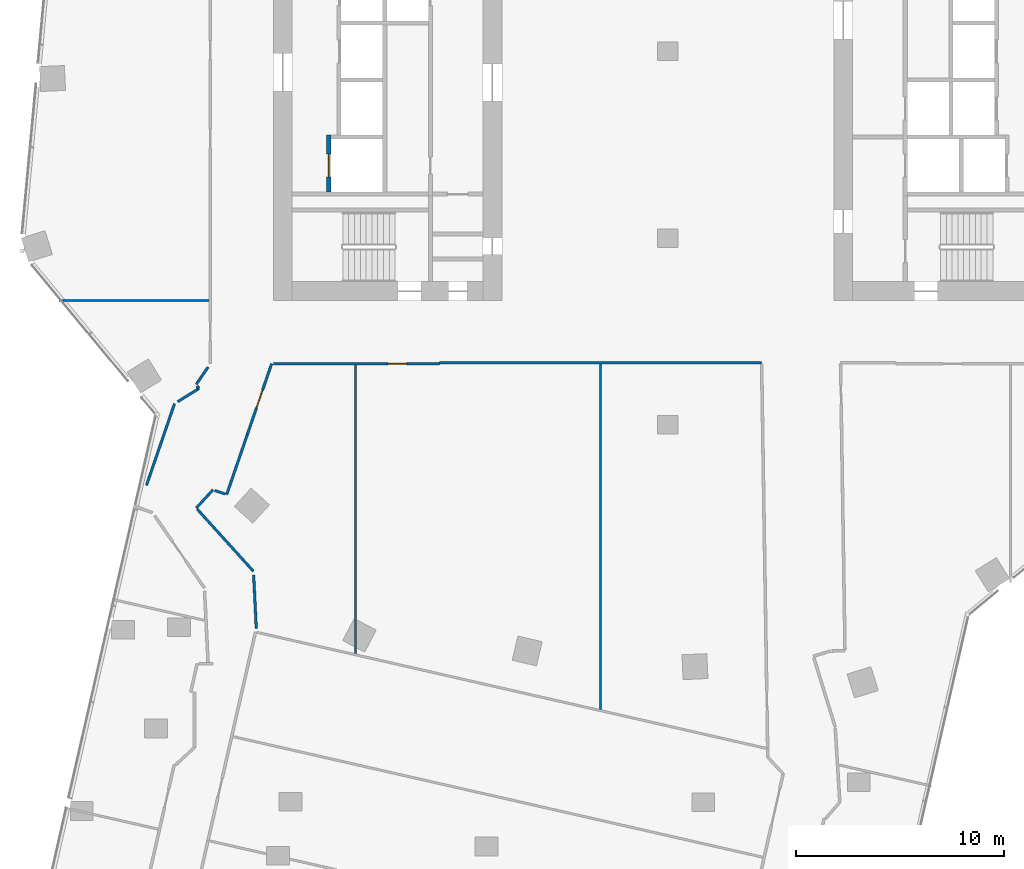
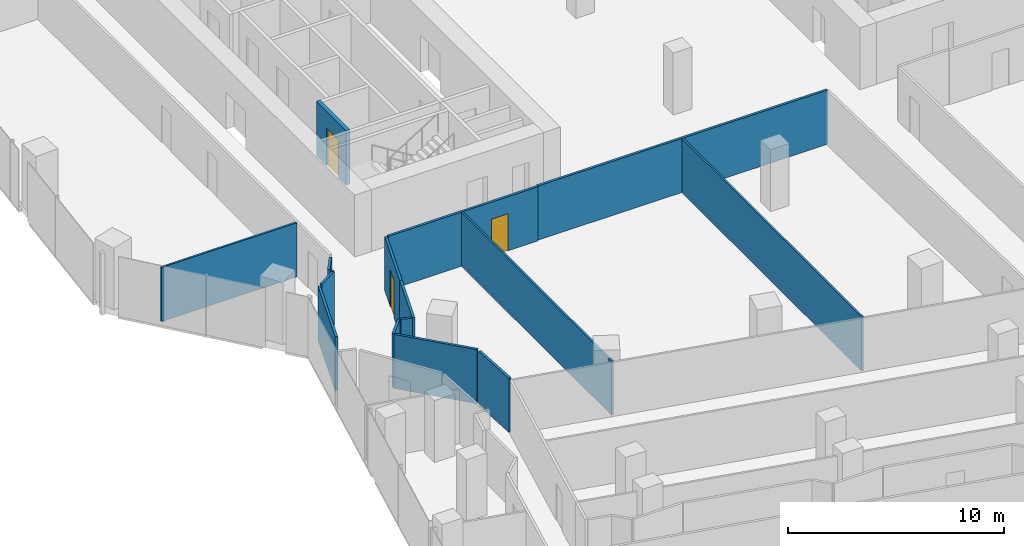
# One storey, part 19 of 24: 16 walls, 3 doors, 3 openings.
"""IFC4 building model written with IfcOpenShell, lengths in metres."""

from ifc_helpers import new_model, si_unit, direction, frame, frame_2d, origin, place, context, subcontext, project, spatial, rectangle, extrude, material, layer, layer_set, type_object, element, fill, save


model = new_model("IFC4")

# Units and contexts
model_context = context("Model", 3, precision=1e-05, world=origin(), true_north=direction((0.0, 1.0)))
body_context = subcontext(model_context, "Body", "Model", "MODEL_VIEW")
ifc_project = project(units=[si_unit("LENGTHUNIT", "METRE"), si_unit("AREAUNIT", "SQUARE_METRE"), si_unit("VOLUMEUNIT", "CUBIC_METRE"), si_unit("PLANEANGLEUNIT", "RADIAN"), si_unit("MASSUNIT", "GRAM", prefix="KILO")], contexts=[model_context])

# Site, building, storey
site_placement = place(None, origin())
site = spatial("IfcSite", under=ifc_project, at=site_placement, CompositionType="ELEMENT")
building_placement = place(site_placement, origin())
building = spatial("IfcBuilding", under=site, at=building_placement, Name="Orlundy Tower", CompositionType="ELEMENT")
storey_placement = place(building_placement, frame((0.0, 0.0, 170.60009765625)))
storey = spatial("IfcBuildingStorey", under=building, at=storey_placement, Name="L44", CompositionType="ELEMENT", Elevation=170.60009765625)

# Walls
ifc_material_1 = material(Name="Gypsum board partition")
ifc_layer_1 = layer(ifc_material_1, 0.10009765625)
ifc_layer_set_1 = layer_set([ifc_layer_1], Name="Floor partition 100")
wall_type_1 = type_object("IfcWallType", Name="Floor partition 100", PredefinedType="PARTITIONING", material=ifc_layer_set_1)
wall_1_placement = place(storey_placement, frame((-3.23388671875, -15.06201171875, 0.0), z_axis=(0.0, 0.0, 1.0), x_axis=(5.8673394e-05, -0.999999998279, 0.0)))
element("IfcWall", 1, at=wall_1_placement, inside=storey, type_object=wall_type_1, Name="wall-int-L44-001", PredefinedType="PARTITIONING", context=body_context, shape_type="SweptSolid", body=[
    extrude(rectangle(XDim=16.64404296875, YDim=0.10009765625, at=frame_2d((8.322021484375, 0.0))), origin(), (0.0, 0.0, 1.0), 3.059814453125),
])
wall_2_placement = place(storey_placement, frame((-29.346923828125, -12.0, 0.0), z_axis=(0.0, 0.0, 1.0), x_axis=(1.0, 0.0, 0.0)))
element("IfcWall", 2, at=wall_2_placement, inside=storey, type_object=wall_type_1, Name="wall-int-L44-041", PredefinedType="PARTITIONING", context=body_context, shape_type="SweptSolid", body=[
    extrude(rectangle(XDim=7.23388671875, YDim=0.10009765625, at=frame_2d((3.616943359375, 0.0))), origin(), (0.0, 0.0, 1.0), 3.059814453125),
])
wall_3_placement = place(storey_placement, frame((-15.041015625, -29.01611328125, 0.0), z_axis=(0.0, 0.0, 1.0), x_axis=(0.0, 1.0, 0.0)))
element("IfcWall", 3, at=wall_3_placement, inside=storey, type_object=wall_type_1, Name="wall-int-L44-080", PredefinedType="PARTITIONING", context=body_context, shape_type="SweptSolid", body=[
    extrude(rectangle(XDim=13.902099609375, YDim=0.10009765625, at=frame_2d((6.951171875, 0.0))), origin(), (0.0, 0.0, 1.0), 3.059814453125),
])
ifc_material_2 = material(Name="Gypsum board partition, double layer")
ifc_layer_2 = layer(ifc_material_2, 0.125)
ifc_layer_set_2 = layer_set([ifc_layer_2], Name="Floor partition 125")
wall_type_2 = type_object("IfcWallType", Name="Floor partition 125", PredefinedType="PARTITIONING", material=ifc_layer_set_2)
wall_4_placement = place(storey_placement, frame((-19.9560546875, -25.23193359375, 0.0), z_axis=(0.0, 0.0, 1.0), x_axis=(0.048635402931, -0.998816598571, 0.0)))
element("IfcWall", 4, at=wall_4_placement, inside=storey, type_object=wall_type_2, Name="wall-int-L44-006", PredefinedType="PARTITIONING", context=body_context, shape_type="SweptSolid", body=[
    extrude(rectangle(XDim=2.59033203125, YDim=0.125, at=frame_2d((1.295166015625, 0.0))), origin(), (0.0, 0.0, 1.0), 3.059814453125),
])
wall_5_placement = place(storey_placement, frame((-22.681884765625, -16.135009765625, 0.0), z_axis=(0.0, 0.0, 1.0), x_axis=(0.530154156877, -0.847901273702, 0.0)))
element("IfcWall", 5, at=wall_5_placement, inside=storey, type_object=wall_type_2, Name="wall-int-L44-009", PredefinedType="PARTITIONING", context=body_context, shape_type="SweptSolid", body=[
    extrude(rectangle(XDim=0.141357421875, YDim=0.125, at=frame_2d((0.07080078125, 0.0))), origin(), (0.0, 0.0, 1.0), 3.059814453125),
])
wall_6_placement = place(storey_placement, frame((-19.965087890625, -25.056884765625, 0.0), z_axis=(0.0, 0.0, 1.0), x_axis=(-0.671014368504, 0.741444345356, 0.0)))
element("IfcWall", 6, at=wall_6_placement, inside=storey, type_object=wall_type_2, Name="wall-int-L44-011", PredefinedType="PARTITIONING", context=body_context, shape_type="SweptSolid", body=[
    extrude(rectangle(XDim=4.048828125, YDim=0.125, at=frame_2d((2.0244140625, 0.0))), origin(), (0.0, 0.0, 1.0), 3.059814453125),
])
wall_7_placement = place(storey_placement, frame((-21.826904296875, -21.159912109375, 0.0), z_axis=(0.0, 0.0, 1.0), x_axis=(0.94566493533, -0.325142784155, 0.0)))
element("IfcWall", 7, at=wall_7_placement, inside=storey, type_object=wall_type_2, Name="wall-int-L44-012", PredefinedType="PARTITIONING", context=body_context, shape_type="SweptSolid", body=[
    extrude(rectangle(XDim=0.541259765625, YDim=0.125, at=frame_2d((0.2705078125, 0.0))), origin(), (0.0, 0.0, 1.0), 3.059814453125),
])

# Wall, opening, door
wall_8_placement = place(storey_placement, frame((-10.990966796875, -15.051025390625, 0.0), z_axis=(0.0, 0.0, 1.0), x_axis=(-1.0, 0.0, 0.0)))
wall_8 = element("IfcWall", 8, at=wall_8_placement, inside=storey, type_object=wall_type_2, Name="wall-int-L44-037", PredefinedType="PARTITIONING", context=body_context, shape_type="SweptSolid", body=[
    extrude(rectangle(XDim=8.010009765625, YDim=0.125, at=frame_2d((4.0048828125, 0.0))), origin(), (0.0, 0.0, 1.0), 3.059814453125),
])
opening_1_placement = place(wall_8_placement, frame((1.60009765625, 0.0, 0.0)))
opening_1 = element("IfcOpeningElement", 9, at=opening_1_placement, cuts=wall_8, Name="Opening 35114", PredefinedType="OPENING", context=body_context, shape_type="SweptSolid", body=[
    extrude(rectangle(XDim=0.89990234375, YDim=2.10009765625, at=frame_2d((0.449951171875, 1.050048828125))), frame((0.0, 0.072509765625, 0.0), z_axis=(0.0, -1.0, 0.0), x_axis=(1.0, 0.0, 0.0)), (0.0, 0.0, 1.0), 0.14501953125),
])
ifc_material_3 = material(Name="Timber door leaf", Category="wood")
door_type_1 = type_object("IfcDoorType", Name="Floor door single 900 FD30S", OperationType="NOTDEFINED", PredefinedType="DOOR", material=ifc_material_3)
door_1_placement = place(opening_1_placement, origin())
door_1 = element("IfcDoor", 10, at=door_1_placement, inside=storey, type_object=door_type_1, Name="Door 35114", OperationType="SINGLE_SWING_LEFT", OverallHeight=2.10009765625, OverallWidth=0.89990234375, PredefinedType="DOOR", context=body_context, shape_type="SweptSolid", body=[
    extrude(rectangle(XDim=0.89990234375, YDim=2.10009765625, at=frame_2d((0.449951171875, 1.050048828125))), frame((0.0, 0.02490234375, 0.0), z_axis=(0.0, -1.0, 0.0), x_axis=(1.0, 0.0, 0.0)), (0.0, 0.0, 1.0), 0.050048828125),
])
fill(opening_1, door_1)

# Walls
wall_9_placement = place(storey_placement, frame((-10.989990234375, -15.0009765625, 0.0), z_axis=(0.0, 0.0, 1.0), x_axis=(0.999999992074, 0.000125902959, 0.0)))
element("IfcWall", 11, at=wall_9_placement, inside=storey, type_object=wall_type_2, Name="wall-int-L44-039", PredefinedType="PARTITIONING", context=body_context, shape_type="SweptSolid", body=[
    extrude(rectangle(XDim=15.512939453125, YDim=0.125, at=frame_2d((7.75634765625, 0.0))), origin(), (0.0, 0.0, 1.0), 3.059814453125),
])
wall_10_placement = place(storey_placement, frame((-23.6201171875, -16.884033203125, 0.0), z_axis=(0.0, 0.0, 1.0), x_axis=(0.849535775132, 0.527531010245, 0.0)))
element("IfcWall", 12, at=wall_10_placement, inside=storey, type_object=wall_type_2, Name="wall-int-L44-053", PredefinedType="PARTITIONING", context=body_context, shape_type="SweptSolid", body=[
    extrude(rectangle(XDim=1.192626953125, YDim=0.125, at=frame_2d((0.59619140625, 0.0))), origin(), (0.0, 0.0, 1.0), 3.059814453125),
])
wall_11_placement = place(storey_placement, frame((-22.72412109375, -22.009033203125, 0.0), z_axis=(0.0, 0.0, 1.0), x_axis=(0.675881994125, 0.737009857477, 0.0)))
element("IfcWall", 13, at=wall_11_placement, inside=storey, type_object=wall_type_2, Name="wall-int-L44-054", PredefinedType="PARTITIONING", context=body_context, shape_type="SweptSolid", body=[
    extrude(rectangle(XDim=1.194091796875, YDim=0.125, at=frame_2d((0.59716796875, 0.0))), origin(), (0.0, 0.0, 1.0), 3.059814453125),
])
wall_12_placement = place(storey_placement, frame((-22.722900390625, -16.044921875, 0.0), z_axis=(0.0, 0.0, 1.0), x_axis=(0.567177272103, 0.823595739431, 0.0)))
element("IfcWall", 14, at=wall_12_placement, inside=storey, type_object=wall_type_2, Name="wall-int-L44-055", PredefinedType="PARTITIONING", context=body_context, shape_type="SweptSolid", body=[
    extrude(rectangle(XDim=1.00634765625, YDim=0.125, at=frame_2d((0.503173828125, 0.0))), origin(), (0.0, 0.0, 1.0), 3.059814453125),
])

# Wall, opening, door
wall_13_placement = place(storey_placement, frame((-19.089111328125, -15.051025390625, 0.0), z_axis=(0.0, 0.0, 1.0), x_axis=(-0.32495907715, -0.945728078349, 0.0)))
wall_13 = element("IfcWall", 15, at=wall_13_placement, inside=storey, type_object=wall_type_2, Name="wall-int-L44-056", PredefinedType="PARTITIONING", context=body_context, shape_type="SweptSolid", body=[
    extrude(rectangle(XDim=3.6181640625, YDim=0.125, at=frame_2d((1.80908203125, 0.0))), origin(), (0.0, 0.0, 1.0), 3.059814453125),
])
opening_2_placement = place(wall_13_placement, frame((1.35009765625, 0.0, 0.0)))
opening_2 = element("IfcOpeningElement", 16, at=opening_2_placement, cuts=wall_13, Name="Opening 35113", PredefinedType="OPENING", context=body_context, shape_type="SweptSolid", body=[
    extrude(rectangle(XDim=0.89990234375, YDim=2.10009765625, at=frame_2d((0.449951171875, 1.050048828125))), frame((0.0, 0.072509765625, 0.0), z_axis=(0.0, -1.0, 0.0), x_axis=(1.0, 0.0, 0.0)), (0.0, 0.0, 1.0), 0.14501953125),
])
door_2_placement = place(opening_2_placement, origin())
door_2 = element("IfcDoor", 17, at=door_2_placement, inside=storey, type_object=door_type_1, Name="Door 35113", OperationType="SINGLE_SWING_LEFT", OverallHeight=2.10009765625, OverallWidth=0.89990234375, PredefinedType="DOOR", context=body_context, shape_type="SweptSolid", body=[
    extrude(rectangle(XDim=0.89990234375, YDim=2.10009765625, at=frame_2d((0.449951171875, 1.050048828125))), frame((0.0, 0.02490234375, 0.0), z_axis=(0.0, -1.0, 0.0), x_axis=(1.0, 0.0, 0.0)), (0.0, 0.0, 1.0), 0.050048828125),
])
fill(opening_2, door_2)

# Walls
wall_14_placement = place(storey_placement, frame((-21.2548828125, -21.35595703125, 0.0), z_axis=(0.0, 0.0, 1.0), x_axis=(0.324768620484, 0.94579349921, 0.0)))
element("IfcWall", 18, at=wall_14_placement, inside=storey, type_object=wall_type_2, Name="wall-int-L44-057", PredefinedType="PARTITIONING", context=body_context, shape_type="SweptSolid", body=[
    extrude(rectangle(XDim=3.04833984375, YDim=0.125, at=frame_2d((1.524169921875, 0.0))), origin(), (0.0, 0.0, 1.0), 3.059814453125),
])
wall_15_placement = place(storey_placement, frame((-25.123046875, -20.9169921875, 0.0), z_axis=(0.0, 0.0, 1.0), x_axis=(0.324794759411, 0.945784523165, 0.0)))
element("IfcWall", 19, at=wall_15_placement, inside=storey, type_object=wall_type_2, Name="wall-int-L44-058", PredefinedType="PARTITIONING", context=body_context, shape_type="SweptSolid", body=[
    extrude(rectangle(XDim=4.165771484375, YDim=0.125, at=frame_2d((2.0830078125, 0.0))), origin(), (0.0, 0.0, 1.0), 3.059814453125),
])

# Wall, opening, door
ifc_material_4 = material(Name="Fire-rated blockwork shaft wall", Category="masonry")
ifc_layer_3 = layer(ifc_material_4, 0.199951171875)
ifc_layer_set_3 = layer_set([ifc_layer_3], Name="Shaft Wall 200")
wall_type_3 = type_object("IfcWallType", Name="Shaft Wall 200", PredefinedType="SOLIDWALL", material=ifc_layer_set_3)
wall_16_placement = place(storey_placement, frame((-16.340087890625, -6.77490234375, 0.0), z_axis=(0.0, 0.0, 1.0), x_axis=(0.0, 1.0, 0.0)))
wall_16 = element("IfcWall", 20, at=wall_16_placement, inside=storey, type_object=wall_type_3, Name="Shaft wall W35-front-o-a", PredefinedType="SOLIDWALL", context=body_context, shape_type="SweptSolid", body=[
    extrude(rectangle(XDim=2.75, YDim=0.199951171875, at=frame_2d((1.375, 0.0))), origin(), (0.0, 0.0, 1.0), 3.079833984375),
])
opening_3_placement = place(wall_16_placement, frame((0.72509765625, 0.0, 0.0)))
opening_3 = element("IfcOpeningElement", 21, at=opening_3_placement, cuts=wall_16, Name="Opening 35001", PredefinedType="OPENING", context=body_context, shape_type="SweptSolid", body=[
    extrude(rectangle(XDim=1.10009765625, YDim=2.10009765625, at=frame_2d((0.550048828125, 1.050048828125))), frame((0.0, 0.110107421875, 0.0), z_axis=(0.0, -1.0, 0.0), x_axis=(1.0, 0.0, 0.0)), (0.0, 0.0, 1.0), 0.22021484375),
])
ifc_material_5 = material(Name="Steel door set", Category="steel")
door_type_2 = type_object("IfcDoorType", Name="Landing Door 1100x2100", OperationType="DOUBLE_DOOR_SLIDING", PredefinedType="DOOR", material=ifc_material_5)
door_3_placement = place(opening_3_placement, origin())
door_3 = element("IfcDoor", 22, at=door_3_placement, inside=storey, type_object=door_type_2, Name="Lift landing door LV-01 35001", OperationType="DOUBLE_DOOR_SLIDING", OverallHeight=2.10009765625, OverallWidth=1.10009765625, PredefinedType="DOOR", context=body_context, shape_type="SweptSolid", body=[
    extrude(rectangle(XDim=1.10009765625, YDim=2.10009765625, at=frame_2d((0.550048828125, 1.050048828125))), frame((0.0, 0.02490234375, 0.0), z_axis=(0.0, -1.0, 0.0), x_axis=(1.0, 0.0, 0.0)), (0.0, 0.0, 1.0), 0.050048828125),
])
fill(opening_3, door_3)

save(model, "model.ifc")
